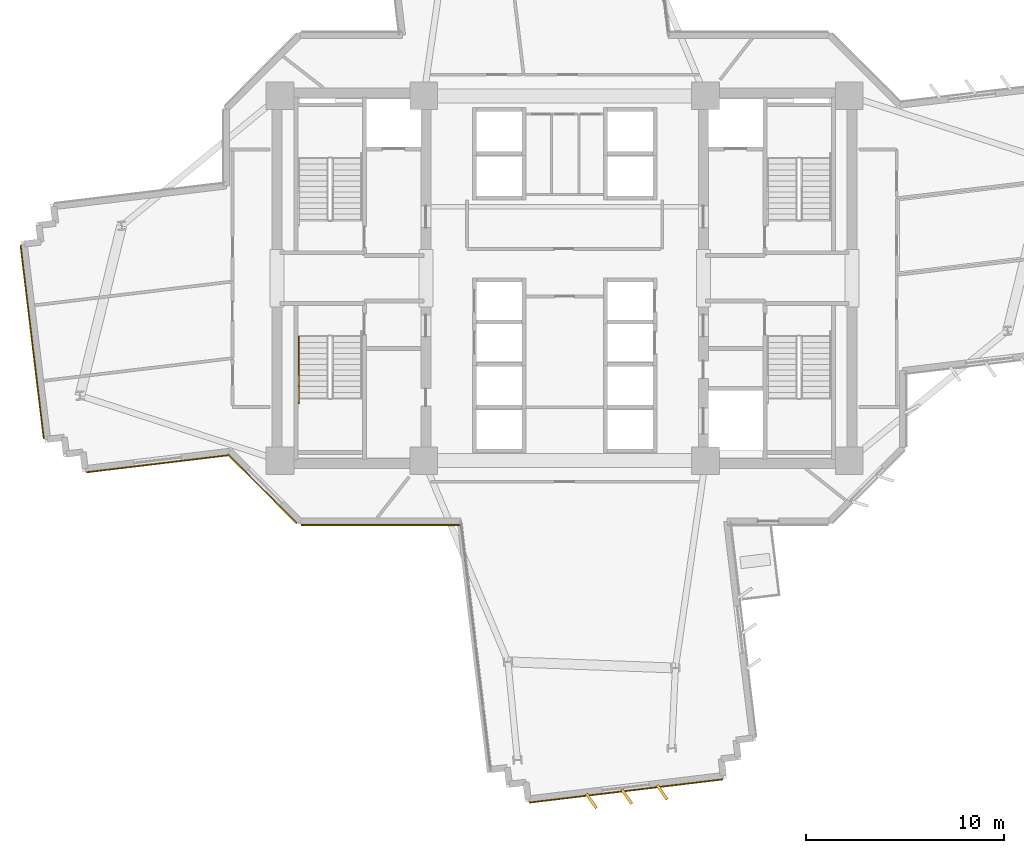
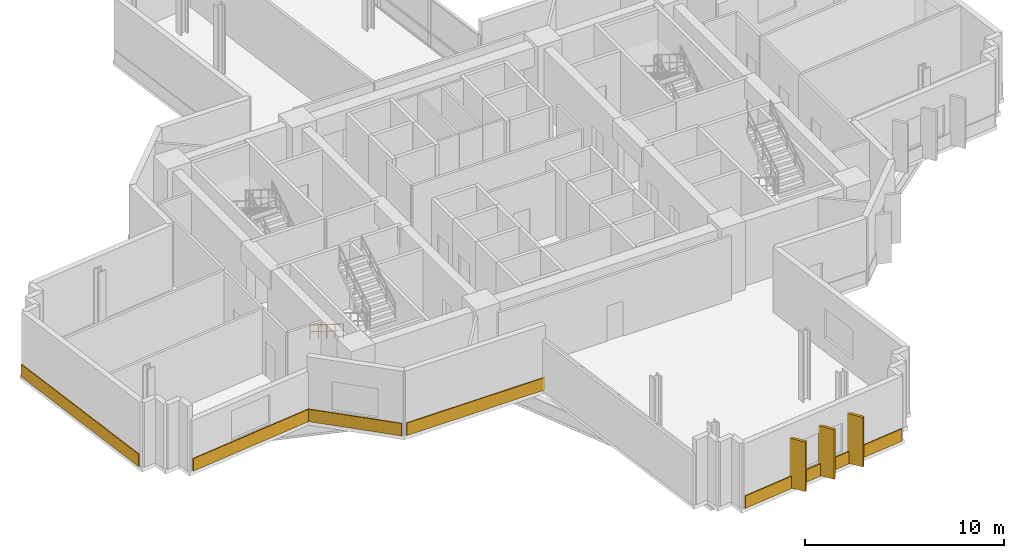
# One storey, part 11 of 15: 8 coverings, 1 railing.
"""IFC4 building model written with IfcOpenShell, lengths in metres."""

import ifcopenshell
import ifcopenshell.guid

model = None  # the IFC model being written
_history = None  # IfcOwnerHistory: only IFC2X3 demands one
_inside = {}  # id of a spatial element -> (the spatial element, [elements in it])
_under = {}  # id of a project, library or spatial element -> (it, [spatial elements below it])
_declared = {}  # id of a project -> (the project, [libraries it declares])
_typed = {}  # id of a type object -> (the type object, [elements of that type])
_made_of = {}  # id of a material, layer set ... -> (it, [elements and type objects made of it])


def new_model(schema):
    """Start an empty IFC model of exactly this schema.

    Asked for "IFC4X3", IfcOpenShell would pick the latest addendum, in which some entities
    have other attributes; the version numbers below select the first issue.
    IFC2X3 requires an IfcOwnerHistory on every rooted entity: one is made here for all.
    """
    global model, _history
    if schema == "IFC4X3":
        model = ifcopenshell.file(schema_version=(4, 3, 0, 0))
    else:
        model = ifcopenshell.file(schema=schema)
    _inside.clear()
    _under.clear()
    _declared.clear()
    _typed.clear()
    _made_of.clear()
    _history = None
    if model.schema == "IFC2X3":
        org = make("IfcOrganization", Name="unknown")
        user = make(
            "IfcPersonAndOrganization",
            ThePerson=make("IfcPerson", FamilyName="unknown"),
            TheOrganization=org,
        )
        app = make(
            "IfcApplication",
            ApplicationDeveloper=org,
            Version="unknown",
            ApplicationFullName="unknown",
            ApplicationIdentifier="unknown",
        )
        _history = make(
            "IfcOwnerHistory",
            OwningUser=user,
            OwningApplication=app,
            ChangeAction="ADDED",
            CreationDate=0,
        )
    return model


def make(cls, **values):
    """One entity of the class cls with the attributes given. An attribute that is None is left unset."""
    return model.create_entity(
        cls, **{name: value for name, value in values.items() if value is not None}
    )


def rooted(cls, **values):
    """An entity with a GlobalId (a new one), such as an element, a storey or a relation."""
    return make(cls, GlobalId=ifcopenshell.guid.new(), OwnerHistory=_history, **values)


def si_unit(unit_type, name, prefix=None):
    """IfcSIUnit, for example si_unit("LENGTHUNIT", "METRE", prefix="MILLI")."""
    return make("IfcSIUnit", UnitType=unit_type, Prefix=prefix, Name=name)


def assignment(units):
    """IfcUnitAssignment: the units of a project."""
    return None if units is None else make("IfcUnitAssignment", Units=units)


def point(xyz):
    """IfcCartesianPoint."""
    return None if xyz is None else make("IfcCartesianPoint", Coordinates=xyz)


def direction(xyz):
    """IfcDirection."""
    return None if xyz is None else make("IfcDirection", DirectionRatios=xyz)


def frame(location, z_axis=None, x_axis=None):
    """IfcAxis2Placement3D, a coordinate frame: its origin and axes. An axis left out is left unset."""
    return make(
        "IfcAxis2Placement3D",
        Location=point(location),
        Axis=direction(z_axis),
        RefDirection=direction(x_axis),
    )


def frame_2d(location, x_axis=None):
    """IfcAxis2Placement2D, a coordinate frame in the plane: its origin and x axis."""
    return make(
        "IfcAxis2Placement2D", Location=point(location), RefDirection=direction(x_axis)
    )


def origin():
    """The frame at (0, 0, 0) with its axes left unset."""
    return frame((0.0, 0.0, 0.0))


def origin_2d():
    """The frame at (0, 0) in the plane with its x axis left unset."""
    return frame_2d((0.0, 0.0))


def place(relative_to, where):
    """IfcLocalPlacement: puts the frame where relative to a parent placement (None: the world)."""
    return make(
        "IfcLocalPlacement", PlacementRelTo=relative_to, RelativePlacement=where
    )


def context(
    kind, dimensions, precision=None, world=None, true_north=None, identifier=None
):
    """IfcGeometricRepresentationContext, for example the 3D "Model" context."""
    return make(
        "IfcGeometricRepresentationContext",
        ContextIdentifier=identifier,
        ContextType=kind,
        CoordinateSpaceDimension=dimensions,
        Precision=precision,
        WorldCoordinateSystem=world,
        TrueNorth=true_north,
    )


def subcontext(parent, identifier, kind, view, scale=None):
    """IfcGeometricRepresentationSubContext, for example "Body" below "Model"."""
    return make(
        "IfcGeometricRepresentationSubContext",
        ContextIdentifier=identifier,
        ContextType=kind,
        ParentContext=parent,
        TargetScale=scale,
        TargetView=view,
    )


def project(units=None, contexts=None):
    """IfcProject with its units and contexts."""
    return rooted(
        "IfcProject",
        Name="project",
        RepresentationContexts=contexts,
        UnitsInContext=assignment(units),
    )


def spatial(cls, under=None, at=None, **own):
    """A site, building, storey or space (cls), placed at a placement, below another one or the project."""
    s = rooted(cls, ObjectPlacement=at, **own)
    if under is not None:
        _under.setdefault(under.id(), (under, []))[1].append(s)
    return s


def profile(cls, at=None, kind="AREA", **sizes):
    """A parametric profile (cls). Its sizes go by their IFC names, for example OverallWidth=200.0."""
    return make(cls, ProfileType=kind, Position=at, **sizes)


def rectangle(**sizes):
    """IfcRectangleProfileDef."""
    return profile("IfcRectangleProfileDef", **sizes)


def extrude(swept, where, along, depth):
    """IfcExtrudedAreaSolid: the profile swept, set in the frame where, extruded along a direction by depth."""
    return make(
        "IfcExtrudedAreaSolid",
        SweptArea=swept,
        Position=where,
        ExtrudedDirection=direction(along),
        Depth=depth,
    )


def shape(context_of_items, identifier, shape_type, items):
    """IfcShapeRepresentation: the items that make up one representation, for example the "Body"."""
    return make(
        "IfcShapeRepresentation",
        ContextOfItems=context_of_items,
        RepresentationIdentifier=identifier,
        RepresentationType=shape_type,
        Items=items,
    )


def source(mapping_origin, context_of_items, identifier, shape_type, items):
    """IfcRepresentationMap: a shape defined once, which mapped items show again and again."""
    return make(
        "IfcRepresentationMap",
        MappingOrigin=mapping_origin,
        MappedRepresentation=shape(context_of_items, identifier, shape_type, items),
    )


def transform(
    local_origin,
    x_axis=None,
    y_axis=None,
    z_axis=None,
    scale=None,
    scale2=None,
    scale3=None,
    uniform=True,
):
    """IfcCartesianTransformationOperator3D, or its non-uniform kind. x_axis, y_axis, z_axis: its Axis1, 2, 3."""
    if uniform:
        return make(
            "IfcCartesianTransformationOperator3D",
            Axis1=direction(x_axis),
            Axis2=direction(y_axis),
            LocalOrigin=point(local_origin),
            Scale=scale,
            Axis3=direction(z_axis),
        )
    return make(
        "IfcCartesianTransformationOperator3DnonUniform",
        Axis1=direction(x_axis),
        Axis2=direction(y_axis),
        LocalOrigin=point(local_origin),
        Scale=scale,
        Axis3=direction(z_axis),
        Scale2=scale2,
        Scale3=scale3,
    )


def mapped(mapping_source, mapping_target):
    """IfcMappedItem: shows the shape of a source again, moved by a transform."""
    return make(
        "IfcMappedItem", MappingSource=mapping_source, MappingTarget=mapping_target
    )


def material(Name=None, Category=None):
    """IfcMaterial."""
    return make("IfcMaterial", Name=Name, Category=Category)


def layer(
    of_material, thickness, ventilated=None, Name=None, Category=None, Priority=None
):
    """IfcMaterialLayer: one layer of a wall or slab, of a material (None: an air gap)."""
    return make(
        "IfcMaterialLayer",
        Material=of_material,
        LayerThickness=thickness,
        IsVentilated=ventilated,
        Name=Name,
        Category=Category,
        Priority=Priority,
    )


def layer_set(layers, Name=None):
    """IfcMaterialLayerSet."""
    return make("IfcMaterialLayerSet", MaterialLayers=layers, LayerSetName=Name)


def made_of(thing, what):
    """Note that an element or type object is made of a material, layer set ...; save() writes the relation."""
    if what is not None:
        _made_of.setdefault(what.id(), (what, []))[1].append(thing)
    return thing


def type_object(cls, material=None, **own):
    """A type object (cls), such as IfcWallType, which elements share."""
    return made_of(rooted(cls, **own), material)


def element(
    cls,
    number,
    at=None,
    inside=None,
    cuts=None,
    type_object=None,
    material=None,
    context=None,
    identifier="Body",
    shape_type=None,
    held_by="IfcProductDefinitionShape",
    body=None,
    shapes=None,
    **own,
):
    """One element of the class cls, such as IfcWall. Its Tag is "e" and its number.

    at: its placement. inside: the storey or other place that contains it. cuts: it is an
    opening in that element (IfcRelVoidsElement). A single representation is given by context,
    identifier, shape_type and body (its items); several are given by shapes. held_by: the class
    of the entity that holds the representations. save() writes the other relations.
    """
    e = rooted(cls, Tag="e%d" % number, ObjectPlacement=at, **own)
    if body is not None:
        shapes = [shape(context, identifier, shape_type, body)]
    if shapes is not None:
        e.Representation = make(held_by, Representations=shapes)
    if inside is not None:
        _inside.setdefault(inside.id(), (inside, []))[1].append(e)
    if cuts is not None:
        rooted(
            "IfcRelVoidsElement", RelatingBuildingElement=cuts, RelatedOpeningElement=e
        )
    if type_object is not None:
        _typed.setdefault(type_object.id(), (type_object, []))[1].append(e)
    return made_of(e, material)


def aggregate(whole, parts):
    """IfcRelAggregates: a whole, such as a stair, and the parts it consists of."""
    return rooted("IfcRelAggregates", RelatingObject=whole, RelatedObjects=parts)


def save(model, path):
    """Write the relations noted so far, then the file.

    IfcRelAggregates (storeys below a building ...), IfcRelContainedInSpatialStructure (elements
    in a storey), IfcRelDefinesByType, IfcRelAssociatesMaterial and IfcRelDeclares: one each for
    every whole, place, type object, material and project.
    """
    for whole, parts in _under.values():
        aggregate(whole, parts)
    for where, things in _inside.values():
        rooted(
            "IfcRelContainedInSpatialStructure",
            RelatedElements=things,
            RelatingStructure=where,
        )
    for kind, things in _typed.values():
        rooted("IfcRelDefinesByType", RelatedObjects=things, RelatingType=kind)
    for what, things in _made_of.values():
        rooted("IfcRelAssociatesMaterial", RelatedObjects=things, RelatingMaterial=what)
    for by, libraries in _declared.values():
        rooted("IfcRelDeclares", RelatingContext=by, RelatedDefinitions=libraries)
    model.write(path)


model = new_model("IFC4")

# Units and contexts
model_context = context("Model", 3, precision=1e-05, world=origin(), true_north=direction((0.0, 1.0)))
body_context = subcontext(model_context, "Body", "Model", "MODEL_VIEW")
ifc_project = project(units=[si_unit("LENGTHUNIT", "METRE"), si_unit("AREAUNIT", "SQUARE_METRE"), si_unit("VOLUMEUNIT", "CUBIC_METRE"), si_unit("PLANEANGLEUNIT", "RADIAN"), si_unit("MASSUNIT", "GRAM", prefix="KILO")], contexts=[model_context])

# Site, building, storey
site_placement = place(None, origin())
site = spatial("IfcSite", under=ifc_project, at=site_placement, CompositionType="ELEMENT")
building_placement = place(site_placement, origin())
building = spatial("IfcBuilding", under=site, at=building_placement, Name="Zahravan Cultural Tower", CompositionType="ELEMENT")
storey_placement = place(building_placement, frame((0.0, 0.0, 113.10009765625)))
storey = spatial("IfcBuildingStorey", under=building, at=storey_placement, Name="L25", CompositionType="ELEMENT", Elevation=113.10009765625)

# Railing
ifc_material_1 = material(Name="Steel ASTM A572 Grade 50", Category="steel")
railing_type = type_object("IfcRailingType", Name="RL-STAIR-HR900", PredefinedType="HANDRAIL", material=ifc_material_1)
railing_placement = place(storey_placement, frame((22.60009765625, 24.050048828125, 0.1748046875)))
element("IfcRailing", 1, at=railing_placement, inside=storey, type_object=railing_type, Name="L25 ST-W2 stair handrail 1", PredefinedType="HANDRAIL", context=body_context, shape_type="SweptSolid", body=[
    extrude(rectangle(XDim=0.05, YDim=0.05, at=origin_2d()), frame((0.0, 0.0, 0.875), z_axis=(0.0, -0.847994842521, 0.530004478338), x_axis=(1.0, 0.0, 0.0)), (0.0, 0.0, 1.0), 3.96240234375),
    extrude(rectangle(XDim=0.032, YDim=0.032, at=origin_2d()), frame((0.0, 0.0, 0.468017578125), z_axis=(0.0, -0.847994842521, 0.530004478338), x_axis=(1.0, 0.0, 0.0)), (0.0, 0.0, 1.0), 3.96240234375),
    extrude(rectangle(XDim=0.04, YDim=0.04, at=origin_2d()), origin(), (0.0, 0.0, 1.0), 0.89990234375),
    extrude(rectangle(XDim=0.04, YDim=0.04, at=origin_2d()), frame((0.0, -0.840087890625, 0.52490234375)), (0.0, 0.0, 1.0), 0.89990234375),
    extrude(rectangle(XDim=0.04, YDim=0.04, at=origin_2d()), frame((0.0, -1.68017578125, 1.050048828125)), (0.0, 0.0, 1.0), 0.89990234375),
    extrude(rectangle(XDim=0.04, YDim=0.04, at=origin_2d()), frame((0.0, -2.52001953125, 1.5751953125)), (0.0, 0.0, 1.0), 0.89990234375),
    extrude(rectangle(XDim=0.04, YDim=0.04, at=origin_2d()), frame((0.0, -3.360107421875, 2.10009765625)), (0.0, 0.0, 1.0), 0.89990234375),
])

# Coverings
ifc_material_2 = material(Name="Terracotta ceramic cladding", Category="masonry")
ifc_layer = layer(ifc_material_2, 0.06005859375)
ifc_layer_set = layer_set([ifc_layer], Name="Terracotta ceramic cladding")
covering_type = type_object("IfcCoveringType", Name="COV-CLAD-TC60", PredefinedType="CLADDING", material=ifc_layer_set)
shared_shape_1 = source(origin(), body_context, "Body", "SweptSolid", [
    extrude(rectangle(XDim=9.820068359375, YDim=0.06005859375, at=origin_2d()), origin(), (0.0, 0.0, 1.0), 0.760009765625),
])
for number, where, z_axis, x_axis, name in (
    (2, (39.101806640625, 1.140380859375, 0.02001953125), (0.0, 0.0, 1.0), (-0.992884683056, -0.119079831006, 0.0), "L25 Terracotta Spandrel Cladding 20"),
    (3, (9.1474609375, 23.779052734375, 0.02001953125), (0.0, 0.0, 1.0), (-0.119097160095, 0.99288260457, 0.0), "L25 Terracotta Spandrel Cladding 32"),
):
    element("IfcCovering", number, at=place(storey_placement, frame(where, z_axis=z_axis, x_axis=x_axis)), inside=storey, type_object=covering_type, Name=name, PredefinedType="CLADDING", context=body_context, shape_type="MappedRepresentation", body=[
        mapped(shared_shape_1, transform((0.0, 0.0, 0.0), x_axis=(1.0, 0.0, 0.0), y_axis=(0.0, 1.0, 0.0), z_axis=(0.0, 0.0, 1.0), scale=1.0)),
    ])
shared_shape_2 = source(origin(), body_context, "Body", "SweptSolid", [
    extrude(rectangle(XDim=0.8798828125, YDim=0.139892578125, at=origin_2d()), origin(), (0.0, 0.0, 1.0), 3.030029296875),
])
for number, where, z_axis, x_axis, name in (
    (4, (40.923095703125, 1.07177734375, 0.0498046875), (0.0, 0.0, 1.0), (0.571272373966, -0.820760546532, 0.0), "L25 Herringbone Terracotta Fin 16"),
    (5, (39.1357421875, 0.857421875, 0.0498046875), (0.0, 0.0, 1.0), (0.571272373966, -0.820760546532, 0.0), "L25 Herringbone Terracotta Fin 17"),
    (6, (37.3486328125, 0.64306640625, 0.0498046875), (0.0, 0.0, 1.0), (0.571272373966, -0.820760546532, 0.0), "L25 Herringbone Terracotta Fin 18"),
):
    element("IfcCovering", number, at=place(storey_placement, frame(where, z_axis=z_axis, x_axis=x_axis)), inside=storey, type_object=covering_type, Name=name, PredefinedType="CLADDING", context=body_context, shape_type="MappedRepresentation", body=[
        mapped(shared_shape_2, transform((0.0, 0.0, 0.0), x_axis=(1.0, 0.0, 0.0), y_axis=(0.0, 1.0, 0.0), z_axis=(0.0, 0.0, 1.0), scale=1.0)),
    ])
shared_shape_3 = source(origin(), body_context, "Body", "SweptSolid", [
    extrude(rectangle(XDim=7.269775390625, YDim=0.06005859375, at=origin_2d()), origin(), (0.0, 0.0, 1.0), 0.760009765625),
])
covering_1_placement = place(storey_placement, frame((15.492919921875, 17.64599609375, 0.02001953125), z_axis=(0.0, 0.0, 1.0), x_axis=(-0.99288260457, -0.119097160095, 0.0)))
element("IfcCovering", 7, at=covering_1_placement, inside=storey, type_object=covering_type, Name="L25 Terracotta Spandrel Cladding 27", PredefinedType="CLADDING", context=body_context, shape_type="MappedRepresentation", body=[
    mapped(shared_shape_3, transform((0.0, 0.0, 0.0), x_axis=(1.0, 0.0, 0.0), y_axis=(0.0, 1.0, 0.0), z_axis=(0.0, 0.0, 1.0), scale=1.0)),
])
shared_shape_4 = source(origin(), body_context, "Body", "SweptSolid", [
    extrude(rectangle(XDim=8.0048828125, YDim=0.06005859375, at=origin_2d()), origin(), (0.0, 0.0, 1.0), 0.760009765625),
])
covering_2_placement = place(storey_placement, frame((26.71044921875, 14.554931640625, 0.02001953125), z_axis=(0.0, 0.0, 1.0), x_axis=(-1.0, 0.0, 0.0)))
element("IfcCovering", 8, at=covering_2_placement, inside=storey, type_object=covering_type, Name="L25 Terracotta Spandrel Cladding 25", PredefinedType="CLADDING", context=body_context, shape_type="MappedRepresentation", body=[
    mapped(shared_shape_4, transform((0.0, 0.0, 0.0), x_axis=(1.0, 0.0, 0.0), y_axis=(0.0, 1.0, 0.0), z_axis=(0.0, 0.0, 1.0), scale=1.0)),
])
shared_shape_5 = source(origin(), body_context, "Body", "SweptSolid", [
    extrude(rectangle(XDim=4.89013671875, YDim=0.06005859375, at=origin_2d()), origin(), (0.0, 0.0, 1.0), 0.760009765625),
])
covering_3_placement = place(storey_placement, frame((20.762939453125, 16.37353515625, 0.02001953125), z_axis=(0.0, 0.0, 1.0), x_axis=(-0.707106781187, 0.707106781187, 0.0)))
element("IfcCovering", 9, at=covering_3_placement, inside=storey, type_object=covering_type, Name="L25 Terracotta Spandrel Cladding 26", PredefinedType="CLADDING", context=body_context, shape_type="MappedRepresentation", body=[
    mapped(shared_shape_5, transform((0.0, 0.0, 0.0), x_axis=(1.0, 0.0, 0.0), y_axis=(0.0, 1.0, 0.0), z_axis=(0.0, 0.0, 1.0), scale=1.0)),
])

save(model, "model.ifc")
